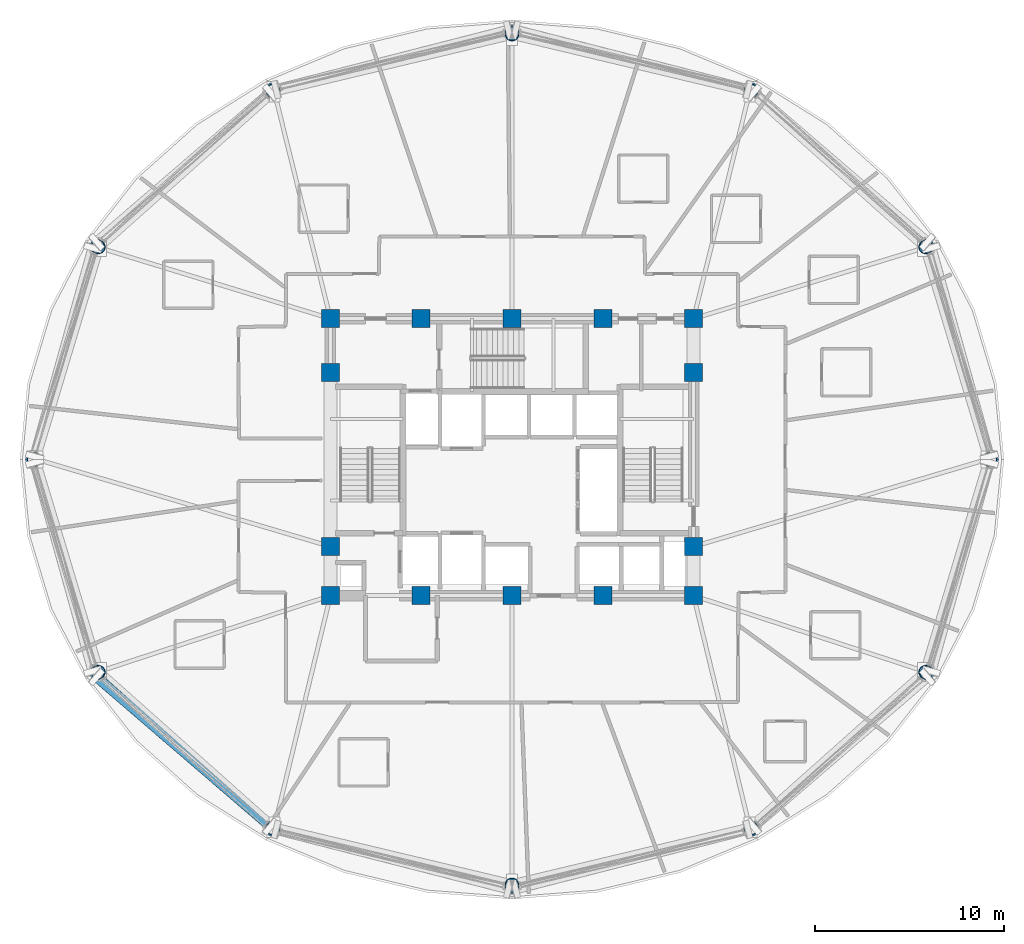
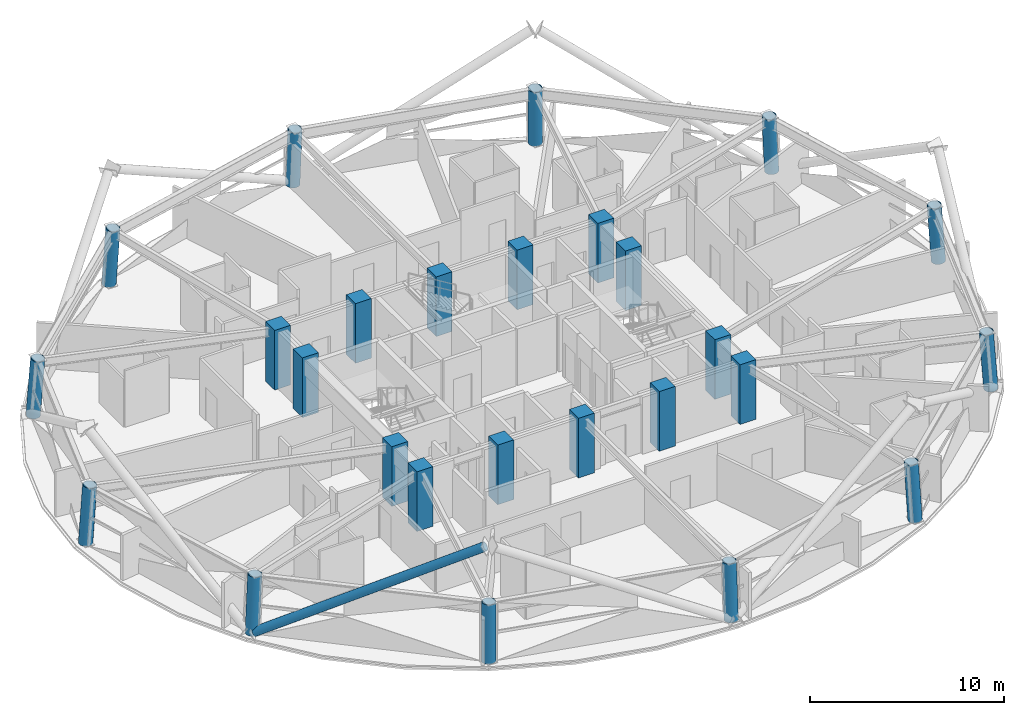
# One storey, part 1 of 13: 26 columns, 1 member.
"""IFC4 building model written with IfcOpenShell, lengths in metres."""

from ifc_helpers import new_model, si_unit, direction, frame, origin, origin_2d, place, context, subcontext, project, spatial, rectangle, hollow_circle, extrude, material, material_profile, profile_set, type_object, element, save


model = new_model("IFC4")

# Units and contexts
model_context = context("Model", 3, precision=1e-05, world=origin(), true_north=direction((0.0, 1.0)))
body_context = subcontext(model_context, "Body", "Model", "MODEL_VIEW")
ifc_project = project(units=[si_unit("LENGTHUNIT", "METRE"), si_unit("AREAUNIT", "SQUARE_METRE"), si_unit("VOLUMEUNIT", "CUBIC_METRE"), si_unit("PLANEANGLEUNIT", "RADIAN"), si_unit("MASSUNIT", "GRAM", prefix="KILO")], contexts=[model_context])

# Site, building, storey
site_placement = place(None, origin())
site = spatial("IfcSite", under=ifc_project, at=site_placement, CompositionType="ELEMENT")
building_placement = place(site_placement, origin())
building = spatial("IfcBuilding", under=site, at=building_placement, Name="Vantalir Tower", CompositionType="ELEMENT")
storey_placement = place(building_placement, frame((0.0, 0.0, 127.199951171875)))
storey = spatial("IfcBuildingStorey", under=building, at=storey_placement, Name="L31", CompositionType="ELEMENT", Elevation=127.199951171875)

# Columns
ifc_material_1 = material(Name="Concrete C60/75", Category="concrete")
ifc_material_profile_1 = material_profile(ifc_material_1, rectangle(XDim=0.949951171875, YDim=0.949951171875, at=origin_2d()), Name="Concrete C60/75")
ifc_profile_set_1 = profile_set([ifc_material_profile_1], Name="Concrete C60/75")
column_type_1 = type_object("IfcColumnType", Name="COL-CC-950", PredefinedType="COLUMN", material=ifc_profile_set_1)
for number, where, z_axis, x_axis, name in (
    (1, (21.89990234375, 17.800048828125, 0.0), (0.0, 0.0, 1.0), (1.0, 0.0, 0.0), "L31 Core Column CC01"),
    (2, (26.699951171875, 17.800048828125, 0.0), (0.0, 0.0, 1.0), (1.0, 0.0, 0.0), "L31 Core Column CC02"),
    (3, (31.5, 17.800048828125, 0.0), (0.0, 0.0, 1.0), (1.0, 0.0, 0.0), "L31 Core Column CC03"),
    (4, (36.300048828125, 17.800048828125, 0.0), (0.0, 0.0, 1.0), (1.0, 0.0, 0.0), "L31 Core Column CC04"),
    (5, (41.10009765625, 17.800048828125, 0.0), (0.0, 0.0, 1.0), (1.0, 0.0, 0.0), "L31 Core Column CC05"),
    (6, (21.89990234375, 20.39990234375, 0.0), (0.0, 0.0, 1.0), (1.0, 0.0, 0.0), "L31 Core Column CC06"),
    (7, (21.89990234375, 29.60009765625, 0.0), (0.0, 0.0, 1.0), (1.0, 0.0, 0.0), "L31 Core Column CC07"),
    (8, (41.10009765625, 20.39990234375, 0.0), (0.0, 0.0, 1.0), (1.0, 0.0, 0.0), "L31 Core Column CC08"),
    (9, (41.10009765625, 29.60009765625, 0.0), (0.0, 0.0, 1.0), (1.0, 0.0, 0.0), "L31 Core Column CC09"),
    (10, (21.89990234375, 32.449951171875, 0.0), (0.0, 0.0, 1.0), (1.0, 0.0, 0.0), "L31 Core Column CC10"),
    (11, (26.699951171875, 32.449951171875, 0.0), (0.0, 0.0, 1.0), (1.0, 0.0, 0.0), "L31 Core Column CC11"),
    (12, (31.5, 32.449951171875, 0.0), (0.0, 0.0, 1.0), (1.0, 0.0, 0.0), "L31 Core Column CC12"),
    (13, (36.300048828125, 32.449951171875, 0.0), (0.0, 0.0, 1.0), (1.0, 0.0, 0.0), "L31 Core Column CC13"),
    (14, (41.10009765625, 32.449951171875, 0.0), (0.0, 0.0, 1.0), (1.0, 0.0, 0.0), "L31 Core Column CC14"),
):
    element("IfcColumn", number, at=place(storey_placement, frame(where, z_axis=z_axis, x_axis=x_axis)), inside=storey, type_object=column_type_1, Name=name, PredefinedType="COLUMN", context=body_context, shape_type="SweptSolid", body=[
        extrude(rectangle(XDim=0.949951171875, YDim=0.949951171875, at=origin_2d()), origin(), (0.0, 0.0, 1.0), 3.75),
    ])
ifc_material_2 = material(Name="Steel S460", Category="steel")
ifc_material_profile_2 = material_profile(ifc_material_2, hollow_circle(Radius=0.375, WallThickness=0.034912109375, at=origin_2d()), Name="Steel S460")
ifc_profile_set_2 = profile_set([ifc_material_profile_2], Name="Steel S460")
column_type_2 = type_object("IfcColumnType", Name="COL-RC-750", PredefinedType="COLUMN", material=ifc_profile_set_2)
column_1_placement = place(storey_placement, frame((56.840087890625, 25.0, 0.0), z_axis=(-0.069040907856, 0.0, 0.997613829617), x_axis=(0.0, -1.0, 0.0)))
element("IfcColumn", 15, at=column_1_placement, inside=storey, type_object=column_type_2, Name="L31 Perimeter Ring Column RC01", PredefinedType="COLUMN", context=body_context, shape_type="SweptSolid", body=[
    extrude(hollow_circle(Radius=0.375, WallThickness=0.034912109375, at=origin_2d()), origin(), (0.0, 0.0, 1.0), 3.57861328125),
])
column_2_placement = place(storey_placement, frame((53.445068359375, 36.282958984375, 0.0), z_axis=(-0.059837714926, -0.03097642255, 0.997727372141), x_axis=(0.459725915848, -0.888060855064, 0.0)))
element("IfcColumn", 16, at=column_2_placement, inside=storey, type_object=column_type_2, Name="L31 Perimeter Ring Column RC02", PredefinedType="COLUMN", context=body_context, shape_type="SweptSolid", body=[
    extrude(hollow_circle(Radius=0.375, WallThickness=0.034912109375, at=origin_2d()), origin(), (0.0, 0.0, 1.0), 3.578125),
])
column_3_placement = place(storey_placement, frame((44.169921875, 44.54296875, 0.0), z_axis=(-0.034328039039, -0.05364182641, 0.997970009667), x_axis=(0.84229086194, -0.539023286967, 0.0)))
element("IfcColumn", 17, at=column_3_placement, inside=storey, type_object=column_type_2, Name="L31 Perimeter Ring Column RC03", PredefinedType="COLUMN", context=body_context, shape_type="SweptSolid", body=[
    extrude(hollow_circle(Radius=0.375, WallThickness=0.034912109375, at=origin_2d()), origin(), (0.0, 0.0, 1.0), 3.577392578125),
])
column_4_placement = place(storey_placement, frame((31.5, 47.56591796875, 0.0), z_axis=(0.0, -0.061770620703, 0.998090371869), x_axis=(1.0, 0.0, 0.0)))
element("IfcColumn", 18, at=column_4_placement, inside=storey, type_object=column_type_2, Name="L31 Perimeter Ring Column RC04", PredefinedType="COLUMN", context=body_context, shape_type="SweptSolid", body=[
    extrude(hollow_circle(Radius=0.375, WallThickness=0.034912109375, at=origin_2d()), origin(), (0.0, 0.0, 1.0), 3.576904296875),
])
column_5_placement = place(storey_placement, frame((18.830078125, 44.54296875, 0.0), z_axis=(0.034668863909, -0.053641194946, 0.997958261692), x_axis=(0.83985671635, 0.542808157641, 0.0)))
element("IfcColumn", 19, at=column_5_placement, inside=storey, type_object=column_type_2, Name="L31 Perimeter Ring Column RC05", PredefinedType="COLUMN", context=body_context, shape_type="SweptSolid", body=[
    extrude(hollow_circle(Radius=0.375, WallThickness=0.034912109375, at=origin_2d()), origin(), (0.0, 0.0, 1.0), 3.577392578125),
])
column_6_placement = place(storey_placement, frame((9.554931640625, 36.282958984375, 0.0), z_axis=(0.059837714926, -0.03097642255, 0.997727372141), x_axis=(0.459725915848, 0.888060855064, 0.0)))
element("IfcColumn", 20, at=column_6_placement, inside=storey, type_object=column_type_2, Name="L31 Perimeter Ring Column RC06", PredefinedType="COLUMN", context=body_context, shape_type="SweptSolid", body=[
    extrude(hollow_circle(Radius=0.375, WallThickness=0.034912109375, at=origin_2d()), origin(), (0.0, 0.0, 1.0), 3.578125),
])
column_7_placement = place(storey_placement, frame((6.159912109375, 25.0, 0.0), z_axis=(0.069040907856, 0.0, 0.997613829617), x_axis=(0.0, 1.0, 0.0)))
element("IfcColumn", 21, at=column_7_placement, inside=storey, type_object=column_type_2, Name="L31 Perimeter Ring Column RC07", PredefinedType="COLUMN", context=body_context, shape_type="SweptSolid", body=[
    extrude(hollow_circle(Radius=0.375, WallThickness=0.034912109375, at=origin_2d()), origin(), (0.0, 0.0, 1.0), 3.57861328125),
])
column_8_placement = place(storey_placement, frame((9.554931640625, 13.717041015625, 0.0), z_axis=(0.059838218577, 0.030703760958, 0.997735769961), x_axis=(-0.456522597329, 0.88971181746, 0.0)))
element("IfcColumn", 22, at=column_8_placement, inside=storey, type_object=column_type_2, Name="L31 Perimeter Ring Column RC08", PredefinedType="COLUMN", context=body_context, shape_type="SweptSolid", body=[
    extrude(hollow_circle(Radius=0.375, WallThickness=0.034912109375, at=origin_2d()), origin(), (0.0, 0.0, 1.0), 3.578125),
])
column_9_placement = place(storey_placement, frame((18.830078125, 5.45703125, 0.0), z_axis=(0.034328039039, 0.05364182641, 0.997970009667), x_axis=(-0.84229086194, 0.539023286967, 0.0)))
element("IfcColumn", 23, at=column_9_placement, inside=storey, type_object=column_type_2, Name="L31 Perimeter Ring Column RC09", PredefinedType="COLUMN", context=body_context, shape_type="SweptSolid", body=[
    extrude(hollow_circle(Radius=0.375, WallThickness=0.034912109375, at=origin_2d()), origin(), (0.0, 0.0, 1.0), 3.577392578125),
])
column_10_placement = place(storey_placement, frame((31.5, 2.43408203125, 0.0), z_axis=(0.0, 0.061770620703, 0.998090371869), x_axis=(-1.0, 0.0, 0.0)))
element("IfcColumn", 24, at=column_10_placement, inside=storey, type_object=column_type_2, Name="L31 Perimeter Ring Column RC10", PredefinedType="COLUMN", context=body_context, shape_type="SweptSolid", body=[
    extrude(hollow_circle(Radius=0.375, WallThickness=0.034912109375, at=origin_2d()), origin(), (0.0, 0.0, 1.0), 3.576904296875),
])
column_11_placement = place(storey_placement, frame((44.169921875, 5.45703125, 0.0), z_axis=(-0.034328039039, 0.05364182641, 0.997970009667), x_axis=(-0.84229086194, -0.539023286967, 0.0)))
element("IfcColumn", 25, at=column_11_placement, inside=storey, type_object=column_type_2, Name="L31 Perimeter Ring Column RC11", PredefinedType="COLUMN", context=body_context, shape_type="SweptSolid", body=[
    extrude(hollow_circle(Radius=0.375, WallThickness=0.034912109375, at=origin_2d()), origin(), (0.0, 0.0, 1.0), 3.577392578125),
])
column_12_placement = place(storey_placement, frame((53.445068359375, 13.717041015625, 0.0), z_axis=(-0.059838218577, 0.030703760958, 0.997735769961), x_axis=(-0.456522597329, -0.88971181746, 0.0)))
element("IfcColumn", 26, at=column_12_placement, inside=storey, type_object=column_type_2, Name="L31 Perimeter Ring Column RC12", PredefinedType="COLUMN", context=body_context, shape_type="SweptSolid", body=[
    extrude(hollow_circle(Radius=0.375, WallThickness=0.034912109375, at=origin_2d()), origin(), (0.0, 0.0, 1.0), 3.578125),
])

# Member
ifc_material_profile_3 = material_profile(ifc_material_2, hollow_circle(Radius=0.260009765625, WallThickness=0.0380859375, at=origin_2d()), Name="Steel S460")
ifc_profile_set_3 = profile_set([ifc_material_profile_3], Name="Steel S460")
member_type = type_object("IfcMemberType", Name="MEM-DB-520x38", PredefinedType="BRACE", material=ifc_profile_set_3)
member_placement = place(storey_placement, frame((9.534912109375, 13.498046875, 0.18896484375), z_axis=(0.657783846671, -0.565484487982, 0.497541661482), x_axis=(0.65190034448, 0.758304649113, 0.0)))
element("IfcMember", 27, at=member_placement, inside=storey, type_object=member_type, Name="L31 Perimeter S460 Diagrid Brace R22L", PredefinedType="BRACE", context=body_context, shape_type="SweptSolid", body=[
    extrude(hollow_circle(Radius=0.260009765625, WallThickness=0.0380859375, at=origin_2d()), origin(), (0.0, 0.0, 1.0), 13.952880859375),
])

save(model, "model.ifc")
